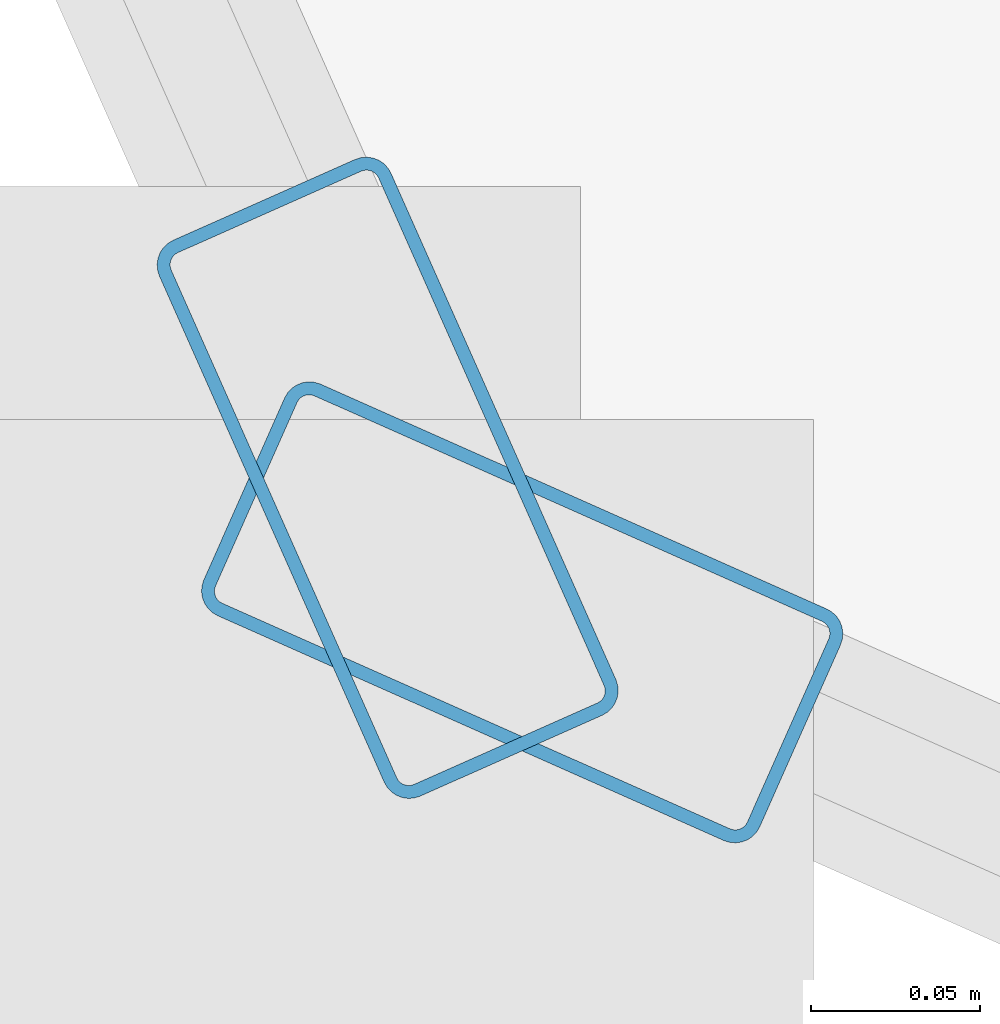
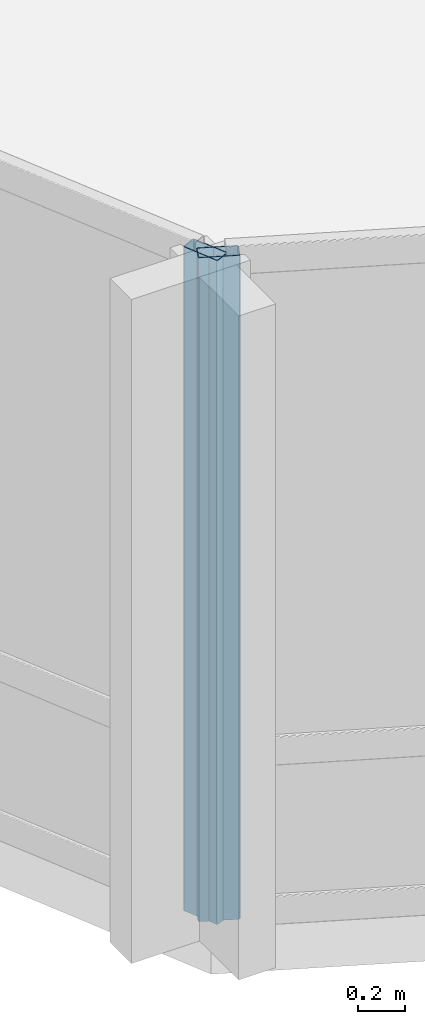
# One storey, part 2 of 34: 2 members, 2 elements without a shape of their own.
"""IFC4 building model written with IfcOpenShell, lengths in metres."""

from ifc_helpers import new_model, si_unit, direction, frame, origin, origin_2d, place, context, subcontext, project, spatial, hollow_rectangle, extrude, material, layer, layer_set, material_profile, profile_set, type_object, element, aggregate, save


model = new_model("IFC4")

# Units and contexts
model_context = context("Model", 3, precision=1e-05, world=origin(), true_north=direction((0.0, 1.0)))
body_context = subcontext(model_context, "Body", "Model", "MODEL_VIEW")
ifc_project = project(units=[si_unit("LENGTHUNIT", "METRE"), si_unit("AREAUNIT", "SQUARE_METRE"), si_unit("VOLUMEUNIT", "CUBIC_METRE"), si_unit("PLANEANGLEUNIT", "RADIAN"), si_unit("MASSUNIT", "GRAM", prefix="KILO")], contexts=[model_context])

# Site, building, storey
site_placement = place(None, origin())
site = spatial("IfcSite", under=ifc_project, at=site_placement, CompositionType="ELEMENT")
building_placement = place(site_placement, origin())
building = spatial("IfcBuilding", under=site, at=building_placement, Name="Solvaryn Broadcast Tower", CompositionType="ELEMENT")
storey_placement = place(building_placement, frame((0.0, 0.0, 54.5)))
storey = spatial("IfcBuildingStorey", under=building, at=storey_placement, Name="L12", CompositionType="ELEMENT", Elevation=54.5)

# Curtain wall, member
ifc_material_1 = material(Name="Aluminium and Terracotta Unitised Curtain Wall", Category="masonry")
ifc_layer = layer(ifc_material_1, 0.199951171875)
ifc_layer_set = layer_set([ifc_layer], Name="CW-SYS2-LOWMID")
curtain_wall_type = type_object("IfcCurtainWallType", Name="CW-SYS2-LOWMID", PredefinedType="NOTDEFINED", material=ifc_layer_set)
curtain_wall_1_placement = place(storey_placement, origin())
curtain_wall_1 = element("IfcCurtainWall", 1, at=curtain_wall_1_placement, inside=storey, type_object=curtain_wall_type, Name="L12 Curtain Wall DR2", PredefinedType="NOTDEFINED")
ifc_material_2 = material(Name="Anodised Aluminium 6063-T6", Category="aluminium")
ifc_material_profile = material_profile(ifc_material_2, hollow_rectangle(XDim=0.074951171875, YDim=0.179931640625, WallThickness=0.00390625, InnerFilletRadius=0.00390625, OuterFilletRadius=0.008056640625, at=origin_2d()))
ifc_profile_set = profile_set([ifc_material_profile], Name="Anodised Aluminium 6063-T6")
member_type = type_object("IfcMemberType", Name="CW-MUL-180", PredefinedType="MULLION", material=ifc_profile_set)
member_1_placement = place(storey_placement, frame((7.834716796875, 7.87451171875, 0.0), z_axis=(0.0, 0.0, 1.0), x_axis=(0.913918257271, 0.405898286554, 0.0)))
member_1 = element("IfcMember", 2, at=member_1_placement, type_object=member_type, Name="CWS2 mullion 2", PredefinedType="MULLION", context=body_context, shape_type="SweptSolid", body=[
    extrude(hollow_rectangle(XDim=0.074951171875, YDim=0.179931640625, WallThickness=0.00390625, InnerFilletRadius=0.00390625, OuterFilletRadius=0.008056640625, at=origin_2d()), origin(), (0.0, 0.0, 1.0), 3.419921875),
])
aggregate(curtain_wall_1, [member_1])

curtain_wall_2_placement = place(storey_placement, origin())
curtain_wall_2 = element("IfcCurtainWall", 3, at=curtain_wall_2_placement, inside=storey, type_object=curtain_wall_type, Name="L12 Curtain Wall DR3", PredefinedType="NOTDEFINED")
member_2_placement = place(storey_placement, frame((7.87451171875, 7.834716796875, 0.0), z_axis=(0.0, 0.0, 1.0), x_axis=(0.405898286554, 0.913918257271, 0.0)))
member_2 = element("IfcMember", 4, at=member_2_placement, type_object=member_type, Name="CWS2 mullion 1", PredefinedType="MULLION", context=body_context, shape_type="SweptSolid", body=[
    extrude(hollow_rectangle(XDim=0.074951171875, YDim=0.179931640625, WallThickness=0.00390625, InnerFilletRadius=0.00390625, OuterFilletRadius=0.008056640625, at=origin_2d()), origin(), (0.0, 0.0, 1.0), 3.419921875),
])
aggregate(curtain_wall_2, [member_2])

save(model, "model.ifc")
